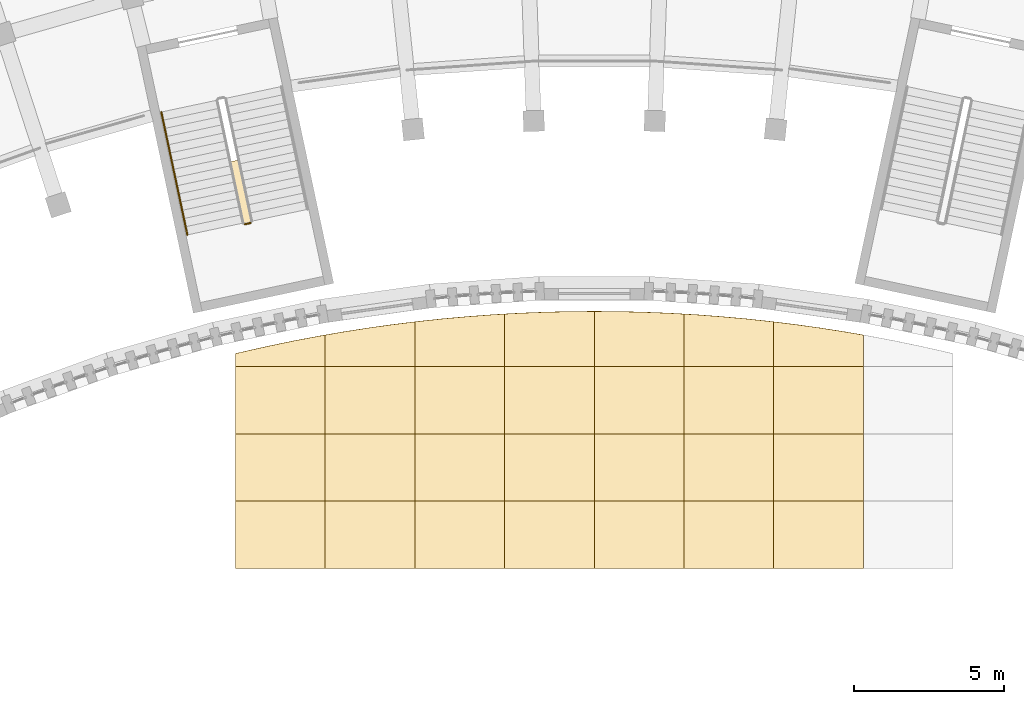
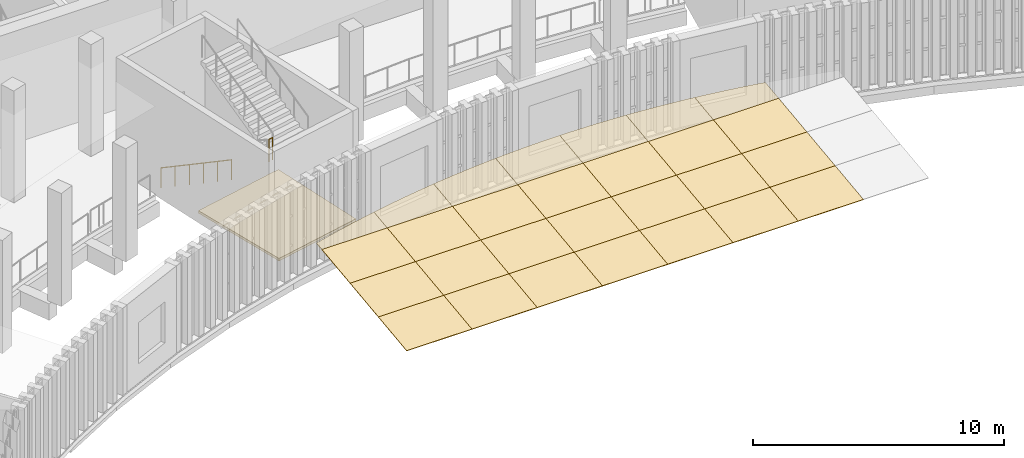
# One storey, part 82 of 112: 29 coverings, 2 railings.
"""IFC4 building model written with IfcOpenShell, lengths in metres."""

from ifc_helpers import new_model, si_unit, direction, frame, origin, origin_2d, place, context, subcontext, project, spatial, polyline, circle, outline, extrude, material, layer, layer_set, type_object, element, save


model = new_model("IFC4")

# Units and contexts
model_context = context("Model", 3, precision=1e-05, world=origin(), true_north=direction((0.0, 1.0)))
body_context = subcontext(model_context, "Body", "Model", "MODEL_VIEW")
ifc_project = project(units=[si_unit("LENGTHUNIT", "METRE"), si_unit("AREAUNIT", "SQUARE_METRE"), si_unit("VOLUMEUNIT", "CUBIC_METRE"), si_unit("PLANEANGLEUNIT", "RADIAN"), si_unit("MASSUNIT", "GRAM", prefix="KILO")], contexts=[model_context])

# Site, building, storey
site_placement = place(None, origin())
site = spatial("IfcSite", under=ifc_project, at=site_placement, CompositionType="ELEMENT")
building_placement = place(site_placement, origin())
building = spatial("IfcBuilding", under=site, at=building_placement, Name="Lunette Opera House", CompositionType="ELEMENT")
storey_placement = place(building_placement, frame((0.0, 0.0, 6.0)))
storey = spatial("IfcBuildingStorey", under=building, at=storey_placement, Name="L01", CompositionType="ELEMENT", Elevation=6.0)

# Coverings
ifc_material_1 = material(Name="Zinc standing seam roofing")
ifc_layer_1 = layer(ifc_material_1, 0.030029296875)
ifc_layer_set_1 = layer_set([ifc_layer_1], Name="Zinc standing seam roofing")
covering_type_1 = type_object("IfcCoveringType", Name="CANOPY ROOFING 30", PredefinedType="ROOFING", material=ifc_layer_set_1)
covering_1_placement = place(storey_placement, frame((84.0, 43.0, 0.64990234375), z_axis=(0.0, -0.121383101341, 0.992605733768), x_axis=(0.0, 0.992605733768, 0.121383101341)))
element("IfcCovering", 1, at=covering_1_placement, inside=storey, type_object=covering_type_1, Name="Canopy roofing 000", PredefinedType="ROOFING", context=body_context, shape_type="SweptSolid", body=[
    extrude(outline(polyline([(0.0, 0.0), (2.2667610345742055, 0.0), (2.2667610345742055, -3.0), (0.0, -3.0), (0.0, 0.0)])), origin(), (0.0, 0.0, -1.0), 0.030029296875),
])
covering_2_placement = place(storey_placement, frame((84.0, 45.25, 0.925048828125), z_axis=(0.0, -0.12127698155, 0.992618705116), x_axis=(0.0, 0.992618705116, 0.12127698155)))
element("IfcCovering", 2, at=covering_2_placement, inside=storey, type_object=covering_type_1, Name="Canopy roofing 010", PredefinedType="ROOFING", context=body_context, shape_type="SweptSolid", body=[
    extrude(outline(polyline([(0.0, 0.0), (2.2667314129819713, 0.0), (2.2667314129819713, -3.0), (0.0, -3.0), (0.0, 0.0)])), origin(), (0.0, 0.0, -1.0), 0.030029296875),
])
covering_3_placement = place(storey_placement, frame((84.0, 47.5, 1.199951171875), z_axis=(0.0, -0.121383101341, 0.992605733768), x_axis=(0.0, 0.992605733768, 0.121383101341)))
element("IfcCovering", 3, at=covering_3_placement, inside=storey, type_object=covering_type_1, Name="Canopy roofing 020", PredefinedType="ROOFING", context=body_context, shape_type="SweptSolid", body=[
    extrude(outline(polyline([(0.0, 0.0), (2.2667610345742055, 0.0), (2.2667610345742055, -3.0), (0.0, -3.0), (0.0, 0.0)])), origin(), (0.0, 0.0, -1.0), 0.030029296875),
])
covering_4_placement = place(storey_placement, frame((87.0, 49.75, 1.47509765625), z_axis=(4.7598111e-05, -0.121130497894, 0.992636590205), x_axis=(-0.999999998867, -5.765583e-06, 4.7247627e-05)))
element("IfcCovering", 4, at=covering_4_placement, inside=storey, type_object=covering_type_1, Name="Canopy roofing 030", PredefinedType="ROOFING", context=body_context, shape_type="SweptSolid", body=[
    extrude(outline(polyline([(0.0, 0.0), (2.9999999966016295, 0.0), (2.9999999969748243, -0.437303021840097), (2.717040990726024, -0.5056206850057864), (1.8930664111449367, -0.692126039874171), (1.0668945381368555, -0.8652787213016163), (0.23706054793418238, -1.0236542446567878), (-1.0080413529786191e-08, -1.0659286840291848), (0.0, 0.0)])), origin(), (0.0, 0.0, -1.0), 0.030029296875),
])
covering_5_placement = place(storey_placement, frame((87.0, 43.0, 0.64990234375), z_axis=(0.0, -0.121383101341, 0.992605733768), x_axis=(0.0, 0.992605733768, 0.121383101341)))
element("IfcCovering", 5, at=covering_5_placement, inside=storey, type_object=covering_type_1, Name="Canopy roofing 100", PredefinedType="ROOFING", context=body_context, shape_type="SweptSolid", body=[
    extrude(outline(polyline([(0.0, 0.0), (2.2667610345742055, 0.0), (2.2667610345742055, -3.0), (0.0, -3.0), (0.0, 0.0)])), origin(), (0.0, 0.0, -1.0), 0.030029296875),
])
covering_6_placement = place(storey_placement, frame((87.0, 45.25, 0.925048828125), z_axis=(0.0, -0.12127698155, 0.992618705116), x_axis=(0.0, 0.992618705116, 0.12127698155)))
element("IfcCovering", 6, at=covering_6_placement, inside=storey, type_object=covering_type_1, Name="Canopy roofing 110", PredefinedType="ROOFING", context=body_context, shape_type="SweptSolid", body=[
    extrude(outline(polyline([(0.0, 0.0), (2.2667314129819713, 0.0), (2.2667314129819713, -3.0), (0.0, -3.0), (0.0, 0.0)])), origin(), (0.0, 0.0, -1.0), 0.030029296875),
])
covering_7_placement = place(storey_placement, frame((87.0, 47.5, 1.199951171875), z_axis=(0.0, -0.121383101341, 0.992605733768), x_axis=(0.0, 0.992605733768, 0.121383101341)))
element("IfcCovering", 7, at=covering_7_placement, inside=storey, type_object=covering_type_1, Name="Canopy roofing 120", PredefinedType="ROOFING", context=body_context, shape_type="SweptSolid", body=[
    extrude(outline(polyline([(0.0, 0.0), (2.2667610345742055, 0.0), (2.2667610345742055, -3.0), (0.0, -3.0), (0.0, 0.0)])), origin(), (0.0, 0.0, -1.0), 0.030029296875),
])
covering_8_placement = place(storey_placement, frame((90.0, 49.75, 1.47509765625), z_axis=(-6.837874e-06, -0.121193410462, 0.992628912139), x_axis=(-0.999999999977, 8.28705e-07, -6.787471e-06)))
element("IfcCovering", 8, at=covering_8_placement, inside=storey, type_object=covering_type_1, Name="Canopy roofing 130", PredefinedType="ROOFING", context=body_context, shape_type="SweptSolid", body=[
    extrude(outline(polyline([(0.0, 0.0), (2.999999999929865, 0.0), (3.0000000018399544, -1.065928668465701), (2.4050292960796775, -1.1695224240259636), (1.571044920376913, -1.3016123876298868), (0.7351074228534756, -1.4193802766245378), (1.0825827591892808e-09, -1.5101355920685546), (0.0, 0.0)])), origin(), (0.0, 0.0, -1.0), 0.030029296875),
])
covering_9_placement = place(storey_placement, frame((90.0, 43.0, 0.64990234375), z_axis=(0.0, -0.121383101341, 0.992605733768), x_axis=(0.0, 0.992605733768, 0.121383101341)))
element("IfcCovering", 9, at=covering_9_placement, inside=storey, type_object=covering_type_1, Name="Canopy roofing 200", PredefinedType="ROOFING", context=body_context, shape_type="SweptSolid", body=[
    extrude(outline(polyline([(0.0, 0.0), (2.2667610345742055, 0.0), (2.2667610345742055, -3.0), (0.0, -3.0), (0.0, 0.0)])), origin(), (0.0, 0.0, -1.0), 0.030029296875),
])
covering_10_placement = place(storey_placement, frame((90.0, 45.25, 0.925048828125), z_axis=(0.0, -0.12127698155, 0.992618705116), x_axis=(0.0, 0.992618705116, 0.12127698155)))
element("IfcCovering", 10, at=covering_10_placement, inside=storey, type_object=covering_type_1, Name="Canopy roofing 210", PredefinedType="ROOFING", context=body_context, shape_type="SweptSolid", body=[
    extrude(outline(polyline([(0.0, 0.0), (2.2667314129819713, 0.0), (2.2667314129819713, -3.0), (0.0, -3.0), (0.0, 0.0)])), origin(), (0.0, 0.0, -1.0), 0.030029296875),
])
covering_11_placement = place(storey_placement, frame((90.0, 47.5, 1.199951171875), z_axis=(0.0, -0.121383101341, 0.992605733768), x_axis=(0.0, 0.992605733768, 0.121383101341)))
element("IfcCovering", 11, at=covering_11_placement, inside=storey, type_object=covering_type_1, Name="Canopy roofing 220", PredefinedType="ROOFING", context=body_context, shape_type="SweptSolid", body=[
    extrude(outline(polyline([(0.0, 0.0), (2.2667610345742055, 0.0), (2.2667610345742055, -3.0), (0.0, -3.0), (0.0, 0.0)])), origin(), (0.0, 0.0, -1.0), 0.030029296875),
])
covering_12_placement = place(storey_placement, frame((93.0, 49.75, 1.47509765625), z_axis=(1.4421781e-05, -0.121307269436, 0.992615004004), x_axis=(-0.999999999896, -1.749467e-06, 1.4315276e-05)))
element("IfcCovering", 12, at=covering_12_placement, inside=storey, type_object=covering_type_1, Name="Canopy roofing 230", PredefinedType="ROOFING", context=body_context, shape_type="SweptSolid", body=[
    extrude(outline(polyline([(0.0, 0.0), (2.9999999996880184, -6.352747104407253e-22), (2.999999994906591, -1.5101355639735818), (2.8969726564896843, -1.5232163875510416), (2.058105468743463, -1.6139717009399035), (1.2170410138941339, -1.6894651519239217), (0.3750000034938254, -1.7529655940507491), (-5.239623540697362e-09, -1.7740435599952844), (0.0, 0.0)])), origin(), (0.0, 0.0, -1.0), 0.030029296875),
])
covering_13_placement = place(storey_placement, frame((93.0, 43.0, 0.64990234375), z_axis=(0.0, -0.121383101341, 0.992605733768), x_axis=(0.0, 0.992605733768, 0.121383101341)))
element("IfcCovering", 13, at=covering_13_placement, inside=storey, type_object=covering_type_1, Name="Canopy roofing 300", PredefinedType="ROOFING", context=body_context, shape_type="SweptSolid", body=[
    extrude(outline(polyline([(0.0, 0.0), (2.2667610345742055, 0.0), (2.2667610345742055, -3.0), (0.0, -3.0), (0.0, 0.0)])), origin(), (0.0, 0.0, -1.0), 0.030029296875),
])
covering_14_placement = place(storey_placement, frame((93.0, 45.25, 0.925048828125), z_axis=(0.0, -0.12127698155, 0.992618705116), x_axis=(0.0, 0.992618705116, 0.12127698155)))
element("IfcCovering", 14, at=covering_14_placement, inside=storey, type_object=covering_type_1, Name="Canopy roofing 310", PredefinedType="ROOFING", context=body_context, shape_type="SweptSolid", body=[
    extrude(outline(polyline([(0.0, 0.0), (2.2667314129819713, 0.0), (2.2667314129819713, -3.0), (0.0, -3.0), (0.0, 0.0)])), origin(), (0.0, 0.0, -1.0), 0.030029296875),
])
covering_15_placement = place(storey_placement, frame((93.0, 47.5, 1.199951171875), z_axis=(0.0, -0.121383101341, 0.992605733768), x_axis=(0.0, 0.992605733768, 0.121383101341)))
element("IfcCovering", 15, at=covering_15_placement, inside=storey, type_object=covering_type_1, Name="Canopy roofing 320", PredefinedType="ROOFING", context=body_context, shape_type="SweptSolid", body=[
    extrude(outline(polyline([(0.0, 0.0), (2.2667610345742055, 0.0), (2.2667610345742055, -3.0), (0.0, -3.0), (0.0, 0.0)])), origin(), (0.0, 0.0, -1.0), 0.030029296875),
])
covering_16_placement = place(storey_placement, frame((96.0, 49.75, 1.47509765625), z_axis=(-1.1460969e-05, -0.121304408509, 0.992615353672), x_axis=(-0.999999999934, 1.390266e-06, -1.1376334e-05)))
element("IfcCovering", 16, at=covering_16_placement, inside=storey, type_object=covering_type_1, Name="Canopy roofing 330", PredefinedType="ROOFING", context=body_context, shape_type="SweptSolid", body=[
    extrude(outline(polyline([(0.0, 0.0), (2.9999999998029696, -1.2705494208814505e-21), (3.0000000039082892, -1.7740435610350633), (2.531982416273465, -1.8014465100608426), (1.6879882784445313, -1.835605300272197), (0.8439941448457169, -1.8566832679698322), (3.0096391083970687e-09, -1.8638295235588067), (0.0, 0.0)])), origin(), (0.0, 0.0, -1.0), 0.030029296875),
])
covering_17_placement = place(storey_placement, frame((96.0, 43.0, 0.64990234375), z_axis=(0.0, -0.121383101341, 0.992605733768), x_axis=(0.0, 0.992605733768, 0.121383101341)))
element("IfcCovering", 17, at=covering_17_placement, inside=storey, type_object=covering_type_1, Name="Canopy roofing 400", PredefinedType="ROOFING", context=body_context, shape_type="SweptSolid", body=[
    extrude(outline(polyline([(0.0, 0.0), (2.2667610345742055, 0.0), (2.2667610345742055, -3.0), (0.0, -3.0), (0.0, 0.0)])), origin(), (0.0, 0.0, -1.0), 0.030029296875),
])
covering_18_placement = place(storey_placement, frame((96.0, 45.25, 0.925048828125), z_axis=(0.0, -0.12127698155, 0.992618705116), x_axis=(0.0, 0.992618705116, 0.12127698155)))
element("IfcCovering", 18, at=covering_18_placement, inside=storey, type_object=covering_type_1, Name="Canopy roofing 410", PredefinedType="ROOFING", context=body_context, shape_type="SweptSolid", body=[
    extrude(outline(polyline([(0.0, 0.0), (2.2667314129819713, 0.0), (2.2667314129819713, -3.0), (0.0, -3.0), (0.0, 0.0)])), origin(), (0.0, 0.0, -1.0), 0.030029296875),
])
covering_19_placement = place(storey_placement, frame((96.0, 47.5, 1.199951171875), z_axis=(0.0, -0.121383101341, 0.992605733768), x_axis=(0.0, 0.992605733768, 0.121383101341)))
element("IfcCovering", 19, at=covering_19_placement, inside=storey, type_object=covering_type_1, Name="Canopy roofing 420", PredefinedType="ROOFING", context=body_context, shape_type="SweptSolid", body=[
    extrude(outline(polyline([(0.0, 0.0), (2.2667610345742055, 0.0), (2.2667610345742055, -3.0), (0.0, -3.0), (0.0, 0.0)])), origin(), (0.0, 0.0, -1.0), 0.030029296875),
])
covering_20_placement = place(storey_placement, frame((99.0, 49.75, 1.47509765625), z_axis=(1.1460969e-05, -0.121304408509, 0.992615353672), x_axis=(-0.999999999934, -1.390266e-06, 1.1376334e-05)))
element("IfcCovering", 20, at=covering_20_placement, inside=storey, type_object=covering_type_1, Name="Canopy roofing 430", PredefinedType="ROOFING", context=body_context, shape_type="SweptSolid", body=[
    extrude(outline(polyline([(0.0, 0.0), (2.9999999998029696, 1.2705494208814505e-21), (2.9999999967933304, -1.8638295235588067), (2.1560058549572525, -1.8566832679698322), (1.3120117213584384, -1.835605300272197), (0.46801758352950446, -1.8014465100608426), (-4.105319529708162e-09, -1.7740435610350633), (0.0, 0.0)])), origin(), (0.0, 0.0, -1.0), 0.030029296875),
])
covering_21_placement = place(storey_placement, frame((99.0, 43.0, 0.64990234375), z_axis=(0.0, -0.121383101341, 0.992605733768), x_axis=(0.0, 0.992605733768, 0.121383101341)))
element("IfcCovering", 21, at=covering_21_placement, inside=storey, type_object=covering_type_1, Name="Canopy roofing 500", PredefinedType="ROOFING", context=body_context, shape_type="SweptSolid", body=[
    extrude(outline(polyline([(0.0, 0.0), (2.2667610345742055, 0.0), (2.2667610345742055, -3.0), (0.0, -3.0), (0.0, 0.0)])), origin(), (0.0, 0.0, -1.0), 0.030029296875),
])
covering_22_placement = place(storey_placement, frame((99.0, 45.25, 0.925048828125), z_axis=(0.0, -0.12127698155, 0.992618705116), x_axis=(0.0, 0.992618705116, 0.12127698155)))
element("IfcCovering", 22, at=covering_22_placement, inside=storey, type_object=covering_type_1, Name="Canopy roofing 510", PredefinedType="ROOFING", context=body_context, shape_type="SweptSolid", body=[
    extrude(outline(polyline([(0.0, 0.0), (2.2667314129819713, 0.0), (2.2667314129819713, -3.0), (0.0, -3.0), (0.0, 0.0)])), origin(), (0.0, 0.0, -1.0), 0.030029296875),
])
covering_23_placement = place(storey_placement, frame((99.0, 47.5, 1.199951171875), z_axis=(0.0, -0.121383101341, 0.992605733768), x_axis=(0.0, 0.992605733768, 0.121383101341)))
element("IfcCovering", 23, at=covering_23_placement, inside=storey, type_object=covering_type_1, Name="Canopy roofing 520", PredefinedType="ROOFING", context=body_context, shape_type="SweptSolid", body=[
    extrude(outline(polyline([(0.0, 0.0), (2.2667610345742055, 0.0), (2.2667610345742055, -3.0), (0.0, -3.0), (0.0, 0.0)])), origin(), (0.0, 0.0, -1.0), 0.030029296875),
])
covering_24_placement = place(storey_placement, frame((102.0, 49.75, 1.47509765625), z_axis=(-1.4421781e-05, -0.121307269436, 0.992615004004), x_axis=(-0.999999999896, 1.749467e-06, -1.4315276e-05)))
element("IfcCovering", 24, at=covering_24_placement, inside=storey, type_object=covering_type_1, Name="Canopy roofing 530", PredefinedType="ROOFING", context=body_context, shape_type="SweptSolid", body=[
    extrude(outline(polyline([(0.0, 0.0), (2.9999999996880184, 6.352747104407253e-22), (3.0000000049276423, -1.7740435599952844), (2.624999996194193, -1.7529655940507491), (1.7829589857938846, -1.6894651519239217), (0.9418945309445556, -1.6139717009399035), (0.10302734319833375, -1.5232163875510416), (4.781427153719124e-09, -1.5101355639735818), (0.0, 0.0)])), origin(), (0.0, 0.0, -1.0), 0.030029296875),
])
covering_25_placement = place(storey_placement, frame((102.0, 43.0, 0.64990234375), z_axis=(0.0, -0.121383101341, 0.992605733768), x_axis=(0.0, 0.992605733768, 0.121383101341)))
element("IfcCovering", 25, at=covering_25_placement, inside=storey, type_object=covering_type_1, Name="Canopy roofing 600", PredefinedType="ROOFING", context=body_context, shape_type="SweptSolid", body=[
    extrude(outline(polyline([(0.0, 0.0), (2.2667610345742055, 0.0), (2.2667610345742055, -3.0), (0.0, -3.0), (0.0, 0.0)])), origin(), (0.0, 0.0, -1.0), 0.030029296875),
])
covering_26_placement = place(storey_placement, frame((102.0, 45.25, 0.925048828125), z_axis=(0.0, -0.12127698155, 0.992618705116), x_axis=(0.0, 0.992618705116, 0.12127698155)))
element("IfcCovering", 26, at=covering_26_placement, inside=storey, type_object=covering_type_1, Name="Canopy roofing 610", PredefinedType="ROOFING", context=body_context, shape_type="SweptSolid", body=[
    extrude(outline(polyline([(0.0, 0.0), (2.2667314129819713, 0.0), (2.2667314129819713, -3.0), (0.0, -3.0), (0.0, 0.0)])), origin(), (0.0, 0.0, -1.0), 0.030029296875),
])
covering_27_placement = place(storey_placement, frame((102.0, 47.5, 1.199951171875), z_axis=(0.0, -0.121383101341, 0.992605733768), x_axis=(0.0, 0.992605733768, 0.121383101341)))
element("IfcCovering", 27, at=covering_27_placement, inside=storey, type_object=covering_type_1, Name="Canopy roofing 620", PredefinedType="ROOFING", context=body_context, shape_type="SweptSolid", body=[
    extrude(outline(polyline([(0.0, 0.0), (2.2667610345742055, 0.0), (2.2667610345742055, -3.0), (0.0, -3.0), (0.0, 0.0)])), origin(), (0.0, 0.0, -1.0), 0.030029296875),
])
covering_28_placement = place(storey_placement, frame((105.0, 49.75, 1.47509765625), z_axis=(6.837874e-06, -0.121193410462, 0.992628912139), x_axis=(-0.999999999977, -8.28705e-07, 6.787471e-06)))
element("IfcCovering", 28, at=covering_28_placement, inside=storey, type_object=covering_type_1, Name="Canopy roofing 630", PredefinedType="ROOFING", context=body_context, shape_type="SweptSolid", body=[
    extrude(outline(polyline([(0.0, 0.0), (2.999999999929865, 0.0), (2.999999998847282, -1.5101355920685546), (2.2648925770763895, -1.4193802766245378), (1.428955079552952, -1.3016123876298868), (0.5949707038501872, -1.1695224240259636), (-1.910089523270909e-09, -1.065928668465701), (0.0, 0.0)])), origin(), (0.0, 0.0, -1.0), 0.030029296875),
])
ifc_material_2 = material(Name="Bitumen membrane on mineral wool")
ifc_layer_2 = layer(ifc_material_2, 0.1201171875)
ifc_layer_set_2 = layer_set([ifc_layer_2], Name="Bitumen membrane on mineral wool")
covering_type_2 = type_object("IfcCoveringType", Name="FLAT ROOF MEMBRANE 120", PredefinedType="ROOFING", material=ifc_layer_set_2)
covering_29_placement = place(storey_placement, origin())
element("IfcCovering", 29, at=covering_29_placement, inside=storey, type_object=covering_type_2, Name="Flat roof membrane FC L00 21", PredefinedType="ROOFING", context=body_context, shape_type="SweptSolid", body=[
    extrude(outline(polyline([(87.2041015625, 52.590087890625), (83.174072265625, 51.73291015625), (82.053955078125, 56.22412109375), (85.93994140625, 57.050048828125), (86.2470703125, 57.093017578125), (87.2041015625, 52.590087890625)])), origin(), (0.0, 0.0, 1.0), 0.1201171875),
])

# Railings
ifc_material_3 = material(Name="Steel S355", Category="steel")
railing_type_1 = type_object("IfcRailingType", Name="STAIR GUARD 1100", PredefinedType="GUARDRAIL", material=ifc_material_3)
railing_1_placement = place(storey_placement, frame((84.3115234375, 54.511474609375, 2.75)))
element("IfcRailing", 30, at=railing_1_placement, inside=storey, type_object=railing_type_1, Name="L01 GS1 stair guard 2", PredefinedType="GUARDRAIL", context=body_context, shape_type="SweptSolid", body=[
    extrude(circle(Radius=0.02392578125, at=origin_2d()), frame((0.0, 0.0, 1.076171875), z_axis=(0.978158850918, 0.20785875582, 0.0), x_axis=(-0.20785875582, 0.978158850918, 0.0)), (0.0, 0.0, 1.0), 0.19970703125),
    extrude(circle(Radius=0.02099609375, at=origin_2d()), origin(), (0.0, 0.0, 1.0), 1.052001953125),
    extrude(circle(Radius=0.02099609375, at=origin_2d()), frame((0.1953125, 0.04150390625, 0.0)), (0.0, 0.0, 1.0), 1.052001953125),
])
ifc_material_4 = material(Name="Steel S355", Category="steel")
railing_type_2 = type_object("IfcRailingType", Name="STAIR HANDRAIL 1000", PredefinedType="HANDRAIL", material=ifc_material_4)
railing_2_placement = place(storey_placement, frame((81.5205078125, 58.26318359375, 0.171875)))
element("IfcRailing", 31, at=railing_2_placement, inside=storey, type_object=railing_type_2, Name="L01 GS1 stair handrail 1", PredefinedType="HANDRAIL", context=body_context, shape_type="SweptSolid", body=[
    extrude(circle(Radius=0.02392578125, at=origin_2d()), frame((0.0, 0.0, 0.97607421875), z_axis=(0.177157979895, -0.833623413786, 0.52315108157), x_axis=(0.978155748334, 0.207873355681, 0.0)), (0.0, 0.0, 1.0), 4.927978515625),
    extrude(circle(Radius=0.02099609375, at=origin_2d()), origin(), (0.0, 0.0, 1.0), 0.951904296875),
    extrude(circle(Radius=0.02099609375, at=origin_2d()), frame((0.174560546875, -0.821533203125, 0.515625)), (0.0, 0.0, 1.0), 0.951904296875),
    extrude(circle(Radius=0.02099609375, at=origin_2d()), frame((0.34912109375, -1.643310546875, 1.03125)), (0.0, 0.0, 1.0), 0.951904296875),
    extrude(circle(Radius=0.02099609375, at=origin_2d()), frame((0.52392578125, -2.46484375, 1.546875)), (0.0, 0.0, 1.0), 0.951904296875),
    extrude(circle(Radius=0.02099609375, at=origin_2d()), frame((0.698486328125, -3.28662109375, 2.0625)), (0.0, 0.0, 1.0), 0.951904296875),
    extrude(circle(Radius=0.02099609375, at=origin_2d()), frame((0.873046875, -4.108154296875, 2.578125)), (0.0, 0.0, 1.0), 0.951904296875),
])

save(model, "model.ifc")
